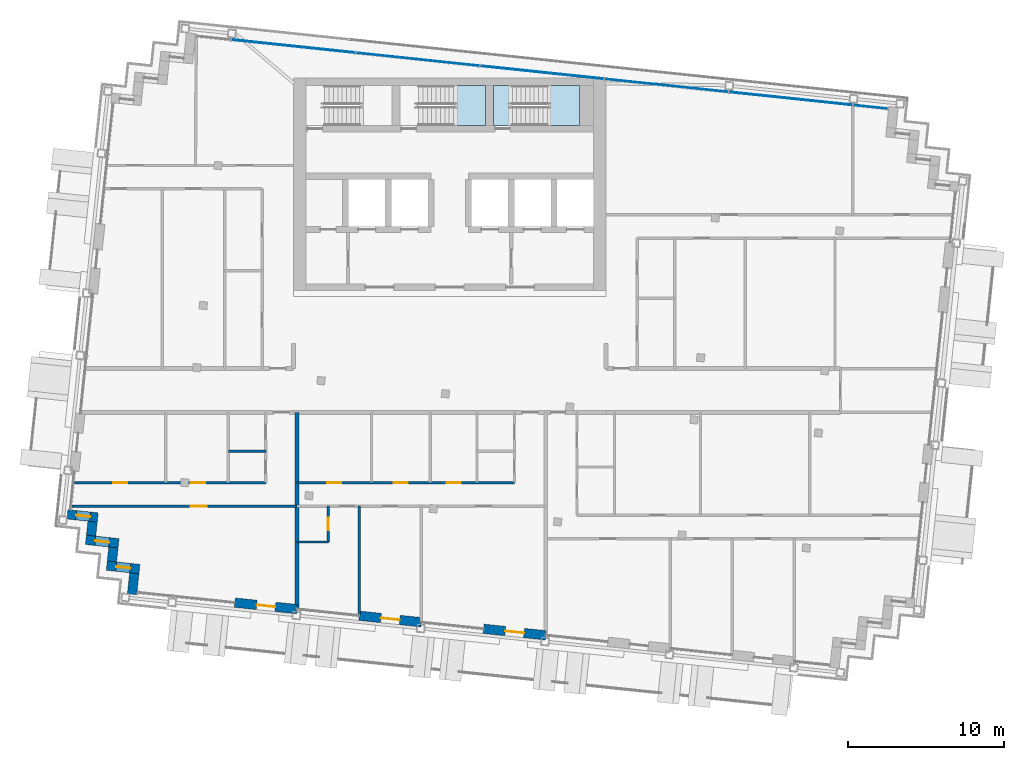
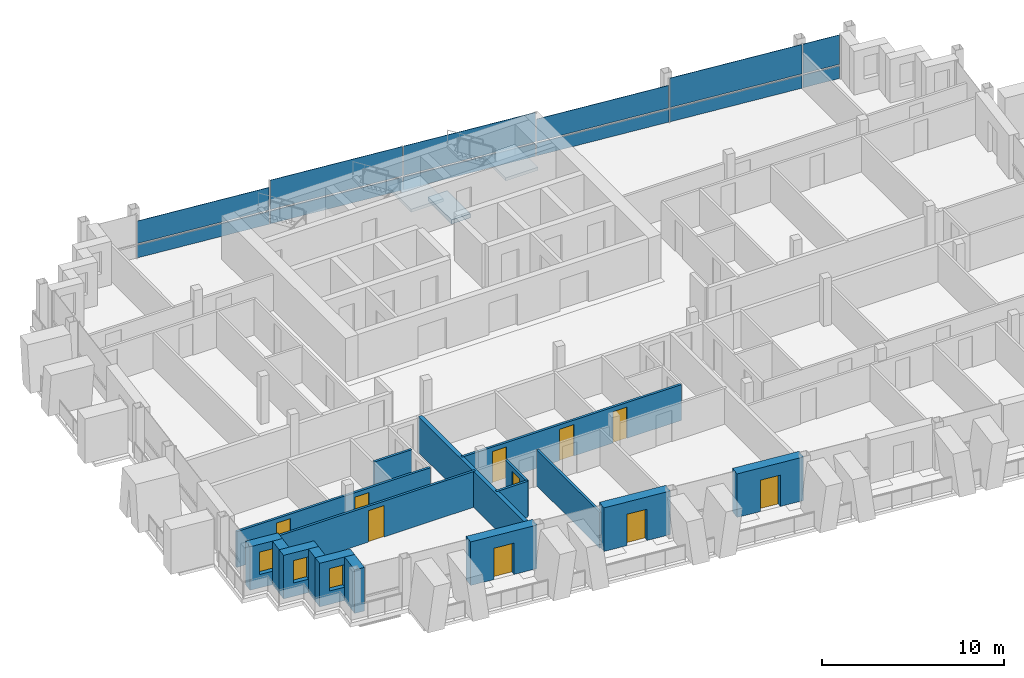
# One storey, part 8 of 16: 17 walls, 12 plates, 10 doors, 3 slabs, 3 windows, 13 openings, 3 elements without a shape of their own.
"""IFC4 building model written with IfcOpenShell, lengths in metres."""

from ifc_helpers import new_model, si_unit, direction, frame, frame_2d, origin, origin_2d, place, context, subcontext, project, spatial, polyline, rectangle, outline, extrude, material, layer, layer_set, type_object, element, fill, aggregate, save


model = new_model("IFC4")

# Units and contexts
model_context = context("Model", 3, precision=1e-05, world=origin(), true_north=direction((0.0, 1.0)))
body_context = subcontext(model_context, "Body", "Model", "MODEL_VIEW")
ifc_project = project(units=[si_unit("LENGTHUNIT", "METRE"), si_unit("AREAUNIT", "SQUARE_METRE"), si_unit("VOLUMEUNIT", "CUBIC_METRE"), si_unit("PLANEANGLEUNIT", "RADIAN"), si_unit("MASSUNIT", "GRAM", prefix="KILO")], contexts=[model_context])

# Site, building, storey
site_placement = place(None, origin())
site = spatial("IfcSite", under=ifc_project, at=site_placement, CompositionType="ELEMENT")
building_placement = place(site_placement, origin())
building = spatial("IfcBuilding", under=site, at=building_placement, Name="Vidyagriha Tower", CompositionType="ELEMENT")
storey_placement = place(building_placement, frame((0.0, 0.0, 275.5)))
storey = spatial("IfcBuildingStorey", under=building, at=storey_placement, Name="L72", CompositionType="ELEMENT", Elevation=275.5)

# Curtain wall, plates
ifc_material_1 = material(Name="Aluminium and glass curtain wall", Category="aluminium")
curtain_wall_type = type_object("IfcCurtainWallType", Name="Dwelling skin unitised curtain wall", PredefinedType="USERDEFINED", material=ifc_material_1)
curtain_wall_placement = place(storey_placement, origin())
curtain_wall = element("IfcCurtainWall", 1, at=curtain_wall_placement, inside=storey, type_object=curtain_wall_type, Name="CW1 dwelling skin", ObjectType="UNITISED", PredefinedType="USERDEFINED")
ifc_material_2 = material(Name="Glass dark ceramic-fritted spandrel", Category="glass")
ifc_layer_1 = layer(ifc_material_2, 0.0400390625)
ifc_layer_set_1 = layer_set([ifc_layer_1], Name="Glass dark ceramic-fritted spandrel")
plate_type_1 = type_object("IfcPlateType", Name="Ceramic-fritted spandrel panel", PredefinedType="CURTAIN_PANEL", material=ifc_layer_set_1)
plate_1_placement = place(storey_placement, frame((26.922607421875, 18.14599609375, 0.0), z_axis=(0.0, 0.0, 1.0), x_axis=(-0.994521854435, 0.104528852722, 0.0)))
plate_1 = element("IfcPlate", 2, at=plate_1_placement, type_object=plate_type_1, Name="CW1 panel 1.1", PredefinedType="CURTAIN_PANEL", context=body_context, shape_type="SweptSolid", body=[
    extrude(rectangle(XDim=2.195068359375, YDim=0.0400390625, at=origin_2d()), origin(), (0.0, 0.0, 1.0), 0.85009765625),
])
plate_2_placement = place(storey_placement, frame((13.862060546875, 19.518798828125, 0.0), z_axis=(0.0, 0.0, 1.0), x_axis=(-0.994521854435, 0.104528852722, 0.0)))
plate_2 = element("IfcPlate", 3, at=plate_2_placement, type_object=plate_type_1, Name="CW1 panel 3.1", PredefinedType="CURTAIN_PANEL", context=body_context, shape_type="SweptSolid", body=[
    extrude(rectangle(XDim=7.929931640625, YDim=0.0400390625, at=origin_2d()), origin(), (0.0, 0.0, 1.0), 0.85009765625),
])
plate_3_placement = place(storey_placement, frame((-2.05029296875, 21.191162109375, 0.0), z_axis=(0.0, 0.0, 1.0), x_axis=(-0.994521854435, 0.104528852722, 0.0)))
plate_3 = element("IfcPlate", 4, at=plate_3_placement, type_object=plate_type_1, Name="CW1 panel 5.1", PredefinedType="CURTAIN_PANEL", context=body_context, shape_type="SweptSolid", body=[
    extrude(rectangle(XDim=7.929931640625, YDim=0.0400390625, at=origin_2d()), origin(), (0.0, 0.0, 1.0), 0.85009765625),
])
ifc_material_3 = material(Name="Glass dark ceramic-fritted", Category="glass")
ifc_layer_2 = layer(ifc_material_3, 0.028076171875)
ifc_layer_set_2 = layer_set([ifc_layer_2], Name="Glass dark ceramic-fritted")
plate_type_2 = type_object("IfcPlateType", Name="Dark ceramic-fritted vision glass panel", PredefinedType="CURTAIN_PANEL", material=ifc_layer_set_2)
plate_4_placement = place(storey_placement, frame((26.922607421875, 18.14599609375, 0.9501953125), z_axis=(0.0, 0.0, 1.0), x_axis=(-0.994521854435, 0.104528852722, 0.0)))
plate_4 = element("IfcPlate", 5, at=plate_4_placement, type_object=plate_type_2, Name="CW1 panel 1.2", PredefinedType="CURTAIN_PANEL", context=body_context, shape_type="SweptSolid", body=[
    extrude(rectangle(XDim=2.195068359375, YDim=0.028076171875, at=origin_2d()), origin(), (0.0, 0.0, 1.0), 1.969970703125),
])
plate_5_placement = place(storey_placement, frame((21.818359375, 18.6826171875, 0.9501953125), z_axis=(0.0, 0.0, 1.0), x_axis=(-0.994521854435, 0.104528852722, 0.0)))
plate_5 = element("IfcPlate", 6, at=plate_5_placement, type_object=plate_type_2, Name="CW1 panel 2.2", PredefinedType="CURTAIN_PANEL", context=body_context, shape_type="SweptSolid", body=[
    extrude(rectangle(XDim=7.929931640625, YDim=0.028076171875, at=origin_2d()), origin(), (0.0, 0.0, 1.0), 1.969970703125),
])
plate_6_placement = place(storey_placement, frame((13.862060546875, 19.518798828125, 0.949951171875), z_axis=(0.0, 0.0, 1.0), x_axis=(-0.994521854435, 0.104528852722, 0.0)))
plate_6 = element("IfcPlate", 7, at=plate_6_placement, type_object=plate_type_2, Name="CW1 panel 3.2", PredefinedType="CURTAIN_PANEL", context=body_context, shape_type="SweptSolid", body=[
    extrude(rectangle(XDim=7.929931640625, YDim=0.028076171875, at=origin_2d()), origin(), (0.0, 0.0, 1.0), 1.5078125),
])
plate_7_placement = place(storey_placement, frame((5.906005859375, 20.35498046875, 0.9501953125), z_axis=(0.0, 0.0, 1.0), x_axis=(-0.994521854435, 0.104528852722, 0.0)))
plate_7 = element("IfcPlate", 8, at=plate_7_placement, type_object=plate_type_2, Name="CW1 panel 4.2", PredefinedType="CURTAIN_PANEL", context=body_context, shape_type="SweptSolid", body=[
    extrude(rectangle(XDim=7.929931640625, YDim=0.028076171875, at=origin_2d()), origin(), (0.0, 0.0, 1.0), 1.969970703125),
])
plate_8_placement = place(storey_placement, frame((-2.05029296875, 21.191162109375, 0.9501953125), z_axis=(0.0, 0.0, 1.0), x_axis=(-0.994521854435, 0.104528852722, 0.0)))
plate_8 = element("IfcPlate", 9, at=plate_8_placement, type_object=plate_type_2, Name="CW1 panel 5.2", PredefinedType="CURTAIN_PANEL", context=body_context, shape_type="SweptSolid", body=[
    extrude(rectangle(XDim=7.929931640625, YDim=0.028076171875, at=origin_2d()), origin(), (0.0, 0.0, 1.0), 1.969970703125),
])
plate_9_placement = place(storey_placement, frame((-10.00634765625, 22.027587890625, 0.949951171875), z_axis=(0.0, 0.0, 1.0), x_axis=(-0.994521854435, 0.104528852722, 0.0)))
plate_9 = element("IfcPlate", 10, at=plate_9_placement, type_object=plate_type_2, Name="CW1 panel 6.2", PredefinedType="CURTAIN_PANEL", context=body_context, shape_type="SweptSolid", body=[
    extrude(rectangle(XDim=7.929931640625, YDim=0.028076171875, at=origin_2d()), origin(), (0.0, 0.0, 1.0), 1.5078125),
])

# Slab
ifc_material_4 = material(Name="Concrete C40/50", Category="concrete")
ifc_layer_3 = layer(ifc_material_4, 0.280029296875)
ifc_layer_set_3 = layer_set([ifc_layer_3], Name="Concrete C40/50")
slab_type_1 = type_object("IfcSlabType", Name="Exit stair floor landing 280 mm", PredefinedType="LANDING", material=ifc_layer_set_3)
slab_1_placement = place(storey_placement, frame((0.0, 0.0, -0.280029296875)))
element("IfcSlab", 11, at=slab_1_placement, inside=storey, type_object=slab_type_1, Name="ST3 floor landing L72", PredefinedType="LANDING", context=body_context, shape_type="SweptSolid", body=[
    extrude(outline(polyline([(2.800048828125, 16.949951171875), (4.0, 16.949951171875), (4.0, 19.5), (2.800048828125, 19.5), (2.800048828125, 16.949951171875)])), origin(), (0.0, 0.0, 1.0), 0.280029296875),
])

# Stair, slab
ifc_material_5 = material(Name="Concrete C40/50", Category="concrete")
stair_type = type_object("IfcStairType", Name="Exit stair, half-turn, precast flights", PredefinedType="HALF_TURN_STAIR", material=ifc_material_5)
stair_1_placement = place(storey_placement, origin())
stair_1 = element("IfcStair", 12, at=stair_1_placement, inside=storey, type_object=stair_type, Name="L72 Exit Stair ST2", PredefinedType="HALF_TURN_STAIR")
ifc_material_6 = material(Name="Concrete C40/50", Category="concrete")
ifc_layer_4 = layer(ifc_material_6, 0.199951171875)
ifc_layer_set_4 = layer_set([ifc_layer_4], Name="Concrete C40/50")
slab_type_2 = type_object("IfcSlabType", Name="Exit stair landing 200 mm", PredefinedType="LANDING", material=ifc_layer_set_4)
slab_2_placement = place(storey_placement, frame((0.0, 0.0, 1.39990234375)))
slab_2 = element("IfcSlab", 13, at=slab_2_placement, type_object=slab_type_2, Name="ST2 landing 1", PredefinedType="LANDING", context=body_context, shape_type="SweptSolid", body=[
    extrude(outline(polyline([(0.239990234375, 16.949951171875), (2.300048828125, 16.949951171875), (2.300048828125, 19.5), (0.239990234375, 19.5), (0.239990234375, 16.949951171875)])), origin(), (0.0, 0.0, 1.0), 0.2001953125),
])
aggregate(stair_1, [slab_2])

stair_2_placement = place(storey_placement, origin())
stair_2 = element("IfcStair", 14, at=stair_2_placement, inside=storey, type_object=stair_type, Name="L72 Exit Stair ST3", PredefinedType="HALF_TURN_STAIR")
slab_3_placement = place(storey_placement, frame((0.0, 0.0, 1.39990234375)))
slab_3 = element("IfcSlab", 15, at=slab_3_placement, type_object=slab_type_2, Name="ST3 landing 1", PredefinedType="LANDING", context=body_context, shape_type="SweptSolid", body=[
    extrude(outline(polyline([(6.239990234375, 16.949951171875), (8.300048828125, 16.949951171875), (8.300048828125, 19.5), (6.239990234375, 19.5), (6.239990234375, 16.949951171875)])), origin(), (0.0, 0.0, 1.0), 0.2001953125),
])
aggregate(stair_2, [slab_3])

# Plate
ifc_material_7 = material(Name="Aluminium black anodised", Category="aluminium")
ifc_layer_5 = layer(ifc_material_7, 0.06005859375)
ifc_layer_set_5 = layer_set([ifc_layer_5], Name="Aluminium black anodised")
plate_type_3 = type_object("IfcPlateType", Name="Operable black-metal vent panel", PredefinedType="CURTAIN_PANEL", material=ifc_layer_set_5)
plate_10_placement = place(storey_placement, frame((21.818359375, 18.6826171875, 0.0), z_axis=(0.0, 0.0, 1.0), x_axis=(-0.994521854435, 0.104528852722, 0.0)))
plate_10 = element("IfcPlate", 16, at=plate_10_placement, type_object=plate_type_3, Name="CW1 panel 2.1", PredefinedType="CURTAIN_PANEL", context=body_context, shape_type="SweptSolid", body=[
    extrude(rectangle(XDim=7.929931640625, YDim=0.06005859375, at=origin_2d()), origin(), (0.0, 0.0, 1.0), 0.85009765625),
])

plate_11_placement = place(storey_placement, frame((5.906005859375, 20.35498046875, 0.0), z_axis=(0.0, 0.0, 1.0), x_axis=(-0.994521854435, 0.104528852722, 0.0)))
plate_11 = element("IfcPlate", 17, at=plate_11_placement, type_object=plate_type_3, Name="CW1 panel 4.1", PredefinedType="CURTAIN_PANEL", context=body_context, shape_type="SweptSolid", body=[
    extrude(rectangle(XDim=7.929931640625, YDim=0.06005859375, at=origin_2d()), origin(), (0.0, 0.0, 1.0), 0.85009765625),
])

plate_12_placement = place(storey_placement, frame((-10.00634765625, 22.027587890625, 0.0), z_axis=(0.0, 0.0, 1.0), x_axis=(-0.994521854435, 0.104528852722, 0.0)))
plate_12 = element("IfcPlate", 18, at=plate_12_placement, type_object=plate_type_3, Name="CW1 panel 6.1", PredefinedType="CURTAIN_PANEL", context=body_context, shape_type="SweptSolid", body=[
    extrude(rectangle(XDim=7.929931640625, YDim=0.06005859375, at=origin_2d()), origin(), (0.0, 0.0, 1.0), 0.85009765625),
])

aggregate(curtain_wall, [plate_1, plate_4, plate_10, plate_5, plate_2, plate_6, plate_11, plate_7, plate_3, plate_8, plate_12, plate_9])

# Wall, opening, window
ifc_material_8 = material(Name="Precast concrete C40/50 with brick facing", Category="concrete")
ifc_layer_6 = layer(ifc_material_8, 0.60009765625)
ifc_layer_set_6 = layer_set([ifc_layer_6], Name="Precast concrete C40/50 with brick facing")
wall_type_1 = type_object("IfcWallType", Name="Brick-faced precast wall 600", PredefinedType="STANDARD", material=ifc_layer_set_6)
wall_1_placement = place(storey_placement, frame((-24.466552734375, -7.92529296875, 0.0), z_axis=(0.0, 0.0, 1.0), x_axis=(0.994521219184, -0.104534896528, 0.0)))
wall_1 = element("IfcWall", 19, at=wall_1_placement, inside=storey, type_object=wall_type_1, Name="Stepped corner wall L72 R15", PredefinedType="STANDARD", context=body_context, shape_type="SweptSolid", body=[
    extrude(rectangle(XDim=1.9501953125, YDim=0.60009765625, at=frame_2d((0.97509765625, 0.0))), origin(), (0.0, 0.0, 1.0), 2.919921875),
])
opening_1_placement = place(wall_1_placement, frame((0.56005859375, 0.0, 0.89990234375)))
opening_1 = element("IfcOpeningElement", 20, at=opening_1_placement, cuts=wall_1, Name="Opening WN1", PredefinedType="OPENING", context=body_context, shape_type="SweptSolid", body=[
    extrude(rectangle(XDim=0.89990234375, YDim=1.5, at=frame_2d((0.449951171875, 0.75))), frame((0.0, 0.31005859375, 0.0), z_axis=(0.0, -1.0, 0.0), x_axis=(1.0, 0.0, 0.0)), (0.0, 0.0, 1.0), 0.6201171875),
])
ifc_material_9 = material(Name="Aluminium and glass window", Category="aluminium")
window_type = type_object("IfcWindowType", Name="Reveal window 900x1500", PartitioningType="NOTDEFINED", PredefinedType="WINDOW", material=ifc_material_9)
window_1_placement = place(opening_1_placement, origin())
window_1 = element("IfcWindow", 21, at=window_1_placement, inside=storey, type_object=window_type, Name="Reveal window L72 R15", OverallHeight=1.5, OverallWidth=0.89990234375, PartitioningType="SINGLE_PANEL", PredefinedType="WINDOW", context=body_context, shape_type="SweptSolid", body=[
    extrude(rectangle(XDim=0.89990234375, YDim=1.5, at=frame_2d((0.449951171875, 0.75))), frame((0.0, 0.030029296875, 0.0), z_axis=(0.0, -1.0, 0.0), x_axis=(1.0, 0.0, 0.0)), (0.0, 0.0, 1.0), 0.06005859375),
])
fill(opening_1, window_1)

# Wall
wall_2_placement = place(storey_placement, frame((-22.85693359375, -8.39599609375, 0.0), z_axis=(0.0, 0.0, 1.0), x_axis=(-0.104444712852, -0.994530694326, 0.0)))
element("IfcWall", 22, at=wall_2_placement, inside=storey, type_object=wall_type_1, Name="Stepped corner wall L72 R16", PredefinedType="STANDARD", context=body_context, shape_type="SweptSolid", body=[
    extrude(rectangle(XDim=0.89990234375, YDim=0.60009765625, at=frame_2d((0.449951171875, 0.0))), origin(), (0.0, 0.0, 1.0), 2.919921875),
])

# Wall, opening, window
wall_3_placement = place(storey_placement, frame((-23.28076171875, -9.55810546875, 0.0), z_axis=(0.0, 0.0, 1.0), x_axis=(0.994523910136, -0.104509292252, 0.0)))
wall_3 = element("IfcWall", 23, at=wall_3_placement, inside=storey, type_object=wall_type_1, Name="Stepped corner wall L72 R17", PredefinedType="STANDARD", context=body_context, shape_type="SweptSolid", body=[
    extrude(rectangle(XDim=2.10009765625, YDim=0.60009765625, at=frame_2d((1.050048828125, 0.0))), origin(), (0.0, 0.0, 1.0), 2.919921875),
])
opening_2_placement = place(wall_3_placement, frame((0.60009765625, 0.0, 0.89990234375)))
opening_2 = element("IfcOpeningElement", 24, at=opening_2_placement, cuts=wall_3, Name="Opening WN1", PredefinedType="OPENING", context=body_context, shape_type="SweptSolid", body=[
    extrude(rectangle(XDim=0.89990234375, YDim=1.5, at=frame_2d((0.449951171875, 0.75))), frame((0.0, 0.31005859375, 0.0), z_axis=(0.0, -1.0, 0.0), x_axis=(1.0, 0.0, 0.0)), (0.0, 0.0, 1.0), 0.6201171875),
])
window_2_placement = place(opening_2_placement, origin())
window_2 = element("IfcWindow", 25, at=window_2_placement, inside=storey, type_object=window_type, Name="Reveal window L72 R17", OverallHeight=1.5, OverallWidth=0.89990234375, PartitioningType="SINGLE_PANEL", PredefinedType="WINDOW", context=body_context, shape_type="SweptSolid", body=[
    extrude(rectangle(XDim=0.89990234375, YDim=1.5, at=frame_2d((0.449951171875, 0.75))), frame((0.0, 0.030029296875, 0.0), z_axis=(0.0, -1.0, 0.0), x_axis=(1.0, 0.0, 0.0)), (0.0, 0.0, 1.0), 0.06005859375),
])
fill(opening_2, window_2)

# Wall
wall_4_placement = place(storey_placement, frame((-21.52197265625, -10.04443359375, 0.0), z_axis=(0.0, 0.0, 1.0), x_axis=(-0.104416541099, -0.994533652495, 0.0)))
element("IfcWall", 26, at=wall_4_placement, inside=storey, type_object=wall_type_1, Name="Stepped corner wall L72 R18", PredefinedType="STANDARD", context=body_context, shape_type="SweptSolid", body=[
    extrude(rectangle(XDim=0.900146484375, YDim=0.60009765625, at=frame_2d((0.4501953125, 0.0))), origin(), (0.0, 0.0, 1.0), 2.919921875),
])

# Wall, opening, window
wall_5_placement = place(storey_placement, frame((-21.94580078125, -11.20654296875, 0.0), z_axis=(0.0, 0.0, 1.0), x_axis=(0.994511820899, -0.104624271047, 0.0)))
wall_5 = element("IfcWall", 27, at=wall_5_placement, inside=storey, type_object=wall_type_1, Name="Stepped corner wall L72 R19", PredefinedType="STANDARD", context=body_context, shape_type="SweptSolid", body=[
    extrude(rectangle(XDim=2.10009765625, YDim=0.60009765625, at=frame_2d((1.050048828125, 0.0))), origin(), (0.0, 0.0, 1.0), 2.919921875),
])
opening_3_placement = place(wall_5_placement, frame((0.60009765625, 0.0, 0.89990234375)))
opening_3 = element("IfcOpeningElement", 28, at=opening_3_placement, cuts=wall_5, Name="Opening WN1", PredefinedType="OPENING", context=body_context, shape_type="SweptSolid", body=[
    extrude(rectangle(XDim=0.89990234375, YDim=1.5, at=frame_2d((0.449951171875, 0.75))), frame((0.0, 0.31005859375, 0.0), z_axis=(0.0, -1.0, 0.0), x_axis=(1.0, 0.0, 0.0)), (0.0, 0.0, 1.0), 0.6201171875),
])
window_3_placement = place(opening_3_placement, origin())
window_3 = element("IfcWindow", 29, at=window_3_placement, inside=storey, type_object=window_type, Name="Reveal window L72 R19", OverallHeight=1.5, OverallWidth=0.89990234375, PartitioningType="SINGLE_PANEL", PredefinedType="WINDOW", context=body_context, shape_type="SweptSolid", body=[
    extrude(rectangle(XDim=0.89990234375, YDim=1.5, at=frame_2d((0.449951171875, 0.75))), frame((0.0, 0.030029296875, 0.0), z_axis=(0.0, -1.0, 0.0), x_axis=(1.0, 0.0, 0.0)), (0.0, 0.0, 1.0), 0.06005859375),
])
fill(opening_3, window_3)

# Wall
wall_6_placement = place(storey_placement, frame((-20.18701171875, -11.693115234375, 0.0), z_axis=(0.0, 0.0, 1.0), x_axis=(-0.1043365026, -0.994542052517, 0.0)))
element("IfcWall", 30, at=wall_6_placement, inside=storey, type_object=wall_type_1, Name="Stepped corner wall L72 R20", PredefinedType="STANDARD", context=body_context, shape_type="SweptSolid", body=[
    extrude(rectangle(XDim=1.35009765625, YDim=0.60009765625, at=frame_2d((0.675048828125, 0.0))), origin(), (0.0, 0.0, 1.0), 2.919921875),
])

# Wall, opening, door
wall_7_placement = place(storey_placement, frame((-13.74853515625, -13.576416015625, 0.0), z_axis=(0.0, 0.0, 1.0), x_axis=(0.994519156568, -0.104554517933, 0.0)))
wall_7 = element("IfcWall", 31, at=wall_7_placement, inside=storey, type_object=wall_type_1, Name="Brick door bay wall L72 R21.3", PredefinedType="STANDARD", context=body_context, shape_type="SweptSolid", body=[
    extrude(rectangle(XDim=4.0, YDim=0.60009765625, at=frame_2d((2.0, 0.0))), origin(), (0.0, 0.0, 1.0), 2.919921875),
])
opening_4_placement = place(wall_7_placement, frame((1.39990234375, 0.0, 0.0)))
opening_4 = element("IfcOpeningElement", 32, at=opening_4_placement, cuts=wall_7, Name="Opening D72-54", PredefinedType="OPENING", context=body_context, shape_type="SweptSolid", body=[
    extrude(rectangle(XDim=1.199951171875, YDim=2.10009765625, at=frame_2d((0.60009765625, 1.050048828125))), frame((0.0, 0.31005859375, 0.0), z_axis=(0.0, -1.0, 0.0), x_axis=(1.0, 0.0, 0.0)), (0.0, 0.0, 1.0), 0.6201171875),
])
ifc_material_10 = material(Name="Aluminium framed glazed sliding door", Category="aluminium")
door_type_1 = type_object("IfcDoorType", Name="Balcony sliding door 1200x2100", OperationType="NOTDEFINED", PredefinedType="DOOR", material=ifc_material_10)
door_1_placement = place(opening_4_placement, origin())
door_1 = element("IfcDoor", 33, at=door_1_placement, inside=storey, type_object=door_type_1, Name="Door D72-54", OperationType="SLIDING_TO_LEFT", OverallHeight=2.10009765625, OverallWidth=1.199951171875, PredefinedType="DOOR", context=body_context, shape_type="SweptSolid", body=[
    extrude(rectangle(XDim=1.199951171875, YDim=2.10009765625, at=frame_2d((0.60009765625, 1.050048828125))), frame((0.0, 0.02490234375, 0.0), z_axis=(0.0, -1.0, 0.0), x_axis=(1.0, 0.0, 0.0)), (0.0, 0.0, 1.0), 0.050048828125),
])
fill(opening_4, door_1)

wall_8_placement = place(storey_placement, frame((-5.792236328125, -14.412841796875, 0.0), z_axis=(0.0, 0.0, 1.0), x_axis=(0.99452550138, -0.104494148666, 0.0)))
wall_8 = element("IfcWall", 34, at=wall_8_placement, inside=storey, type_object=wall_type_1, Name="Brick door bay wall L72 R21.5", PredefinedType="STANDARD", context=body_context, shape_type="SweptSolid", body=[
    extrude(rectangle(XDim=4.0, YDim=0.60009765625, at=frame_2d((2.0, 0.0))), origin(), (0.0, 0.0, 1.0), 2.919921875),
])
opening_5_placement = place(wall_8_placement, frame((1.39990234375, 0.0, 0.0)))
opening_5 = element("IfcOpeningElement", 35, at=opening_5_placement, cuts=wall_8, Name="Opening D72-55", PredefinedType="OPENING", context=body_context, shape_type="SweptSolid", body=[
    extrude(rectangle(XDim=1.199951171875, YDim=2.10009765625, at=frame_2d((0.60009765625, 1.050048828125))), frame((0.0, 0.31005859375, 0.0), z_axis=(0.0, -1.0, 0.0), x_axis=(1.0, 0.0, 0.0)), (0.0, 0.0, 1.0), 0.6201171875),
])
door_2_placement = place(opening_5_placement, origin())
door_2 = element("IfcDoor", 36, at=door_2_placement, inside=storey, type_object=door_type_1, Name="Door D72-55", OperationType="SLIDING_TO_LEFT", OverallHeight=2.10009765625, OverallWidth=1.199951171875, PredefinedType="DOOR", context=body_context, shape_type="SweptSolid", body=[
    extrude(rectangle(XDim=1.199951171875, YDim=2.10009765625, at=frame_2d((0.60009765625, 1.050048828125))), frame((0.0, 0.02490234375, 0.0), z_axis=(0.0, -1.0, 0.0), x_axis=(1.0, 0.0, 0.0)), (0.0, 0.0, 1.0), 0.050048828125),
])
fill(opening_5, door_2)

wall_9_placement = place(storey_placement, frame((2.163818359375, -15.2490234375, 0.0), z_axis=(0.0, 0.0, 1.0), x_axis=(0.99452550138, -0.104494148666, 0.0)))
wall_9 = element("IfcWall", 37, at=wall_9_placement, inside=storey, type_object=wall_type_1, Name="Brick door bay wall L72 R21.7", PredefinedType="STANDARD", context=body_context, shape_type="SweptSolid", body=[
    extrude(rectangle(XDim=4.0, YDim=0.60009765625, at=frame_2d((2.0, 0.0))), origin(), (0.0, 0.0, 1.0), 2.919921875),
])
opening_6_placement = place(wall_9_placement, frame((1.39990234375, 0.0, 0.0)))
opening_6 = element("IfcOpeningElement", 38, at=opening_6_placement, cuts=wall_9, Name="Opening D72-56", PredefinedType="OPENING", context=body_context, shape_type="SweptSolid", body=[
    extrude(rectangle(XDim=1.199951171875, YDim=2.10009765625, at=frame_2d((0.60009765625, 1.050048828125))), frame((0.0, 0.31005859375, 0.0), z_axis=(0.0, -1.0, 0.0), x_axis=(1.0, 0.0, 0.0)), (0.0, 0.0, 1.0), 0.6201171875),
])
door_3_placement = place(opening_6_placement, origin())
door_3 = element("IfcDoor", 39, at=door_3_placement, inside=storey, type_object=door_type_1, Name="Door D72-56", OperationType="SLIDING_TO_LEFT", OverallHeight=2.10009765625, OverallWidth=1.199951171875, PredefinedType="DOOR", context=body_context, shape_type="SweptSolid", body=[
    extrude(rectangle(XDim=1.199951171875, YDim=2.10009765625, at=frame_2d((0.60009765625, 1.050048828125))), frame((0.0, 0.02490234375, 0.0), z_axis=(0.0, -1.0, 0.0), x_axis=(1.0, 0.0, 0.0)), (0.0, 0.0, 1.0), 0.050048828125),
])
fill(opening_6, door_3)

# Walls
ifc_material_11 = material(Name="Fired clay brick masonry", Category="masonry")
ifc_layer_7 = layer(ifc_material_11, 0.25)
ifc_layer_set_7 = layer_set([ifc_layer_7], Name="Fired clay brick masonry")
wall_type_2 = type_object("IfcWallType", Name="Fired clay brick demising wall 250", PredefinedType="PARTITIONING", material=ifc_layer_set_7)
wall_10_placement = place(storey_placement, frame((-9.77001953125, -1.39990234375, 0.0), z_axis=(0.0, 0.0, 1.0), x_axis=(0.0, -1.0, 0.0)))
element("IfcWall", 40, at=wall_10_placement, inside=storey, type_object=wall_type_2, Name="Wall all-L72-w034", PredefinedType="PARTITIONING", context=body_context, shape_type="SweptSolid", body=[
    extrude(rectangle(XDim=12.50439453125, YDim=0.25, at=frame_2d((6.252197265625, 0.0))), origin(), (0.0, 0.0, 1.0), 2.39990234375),
])
ifc_material_12 = material(Name="Gypsum board partition")
ifc_layer_8 = layer(ifc_material_12, 0.14990234375)
ifc_layer_set_8 = layer_set([ifc_layer_8], Name="Gypsum board partition")
wall_type_3 = type_object("IfcWallType", Name="Gypsum board partition 150", PredefinedType="PARTITIONING", material=ifc_layer_set_8)
wall_11_placement = place(storey_placement, frame((-11.77001953125, -3.89990234375, 0.0), z_axis=(0.0, 0.0, 1.0), x_axis=(-1.0, 0.0, 0.0)))
element("IfcWall", 41, at=wall_11_placement, inside=storey, type_object=wall_type_3, Name="Wall all-L72-w004", PredefinedType="PARTITIONING", context=body_context, shape_type="SweptSolid", body=[
    extrude(rectangle(XDim=2.39990234375, YDim=0.14990234375, at=frame_2d((1.199951171875, 0.0))), origin(), (0.0, 0.0, 1.0), 2.39990234375),
])

# Wall, openings, doors
wall_12_placement = place(storey_placement, frame((-24.0234375, -5.89990234375, 0.0)))
wall_12 = element("IfcWall", 42, at=wall_12_placement, inside=storey, type_object=wall_type_3, Name="Wall all-L72-w007", PredefinedType="PARTITIONING", context=body_context, shape_type="SweptSolid", body=[
    extrude(rectangle(XDim=12.25341796875, YDim=0.14990234375, at=frame_2d((6.126708984375, 0.0))), origin(), (0.0, 0.0, 1.0), 2.39990234375),
])
opening_7_placement = place(wall_12_placement, frame((7.46484375, 0.0, 0.0)))
opening_7 = element("IfcOpeningElement", 43, at=opening_7_placement, cuts=wall_12, Name="Opening D72-12", PredefinedType="OPENING", context=body_context, shape_type="SweptSolid", body=[
    extrude(rectangle(XDim=0.89990234375, YDim=2.10009765625, at=frame_2d((0.449951171875, 1.050048828125))), frame((0.0, 0.0849609375, 0.0), z_axis=(0.0, -1.0, 0.0), x_axis=(1.0, 0.0, 0.0)), (0.0, 0.0, 1.0), 0.169921875),
])
opening_8_placement = place(wall_12_placement, frame((2.494384765625, 0.0, 0.0)))
opening_8 = element("IfcOpeningElement", 44, at=opening_8_placement, cuts=wall_12, Name="Opening D72-13", PredefinedType="OPENING", context=body_context, shape_type="SweptSolid", body=[
    extrude(rectangle(XDim=0.89990234375, YDim=2.10009765625, at=frame_2d((0.449951171875, 1.050048828125))), frame((0.0, 0.0849609375, 0.0), z_axis=(0.0, -1.0, 0.0), x_axis=(1.0, 0.0, 0.0)), (0.0, 0.0, 1.0), 0.169921875),
])
ifc_material_13 = material(Name="Timber door leaf", Category="wood")
door_type_2 = type_object("IfcDoorType", Name="Room door 900x2100", OperationType="NOTDEFINED", PredefinedType="DOOR", material=ifc_material_13)
door_4_placement = place(opening_7_placement, origin())
door_4 = element("IfcDoor", 45, at=door_4_placement, inside=storey, type_object=door_type_2, Name="Door D72-12", OperationType="SINGLE_SWING_RIGHT", OverallHeight=2.10009765625, OverallWidth=0.89990234375, PredefinedType="DOOR", context=body_context, shape_type="SweptSolid", body=[
    extrude(rectangle(XDim=0.89990234375, YDim=2.10009765625, at=frame_2d((0.449951171875, 1.050048828125))), frame((0.0, 0.02490234375, 0.0), z_axis=(0.0, -1.0, 0.0), x_axis=(1.0, 0.0, 0.0)), (0.0, 0.0, 1.0), 0.050048828125),
])
fill(opening_7, door_4)
door_5_placement = place(opening_8_placement, origin())
door_5 = element("IfcDoor", 46, at=door_5_placement, inside=storey, type_object=door_type_2, Name="Door D72-13", OperationType="SINGLE_SWING_LEFT", OverallHeight=2.10009765625, OverallWidth=0.89990234375, PredefinedType="DOOR", context=body_context, shape_type="SweptSolid", body=[
    extrude(rectangle(XDim=0.89990234375, YDim=2.10009765625, at=frame_2d((0.449951171875, 1.050048828125))), frame((0.0, 0.02490234375, 0.0), z_axis=(0.0, -1.0, 0.0), x_axis=(1.0, 0.0, 0.0)), (0.0, 0.0, 1.0), 0.050048828125),
])
fill(opening_8, door_5)

# Wall, opening, door
wall_13_placement = place(storey_placement, frame((-9.77001953125, -7.39990234375, 0.0), z_axis=(0.0, 0.0, 1.0), x_axis=(-1.0, 0.0, 0.0)))
wall_13 = element("IfcWall", 47, at=wall_13_placement, inside=storey, type_object=wall_type_3, Name="Wall all-L72-w010", PredefinedType="PARTITIONING", context=body_context, shape_type="SweptSolid", body=[
    extrude(rectangle(XDim=14.4111328125, YDim=0.14990234375, at=frame_2d((7.20556640625, 0.0))), origin(), (0.0, 0.0, 1.0), 2.39990234375),
])
opening_9_placement = place(wall_13_placement, frame((5.78857421875, 0.0, 0.0)))
opening_9 = element("IfcOpeningElement", 48, at=opening_9_placement, cuts=wall_13, Name="Opening D72-14", PredefinedType="OPENING", context=body_context, shape_type="SweptSolid", body=[
    extrude(rectangle(XDim=1.0, YDim=2.10009765625, at=frame_2d((0.5, 1.050048828125))), frame((0.0, 0.0849609375, 0.0), z_axis=(0.0, -1.0, 0.0), x_axis=(1.0, 0.0, 0.0)), (0.0, 0.0, 1.0), 0.169921875),
])
ifc_material_14 = material(Name="Timber door leaf", Category="wood")
door_type_3 = type_object("IfcDoorType", Name="Room door 1000x2100", OperationType="NOTDEFINED", PredefinedType="DOOR", material=ifc_material_14)
door_6_placement = place(opening_9_placement, origin())
door_6 = element("IfcDoor", 49, at=door_6_placement, inside=storey, type_object=door_type_3, Name="Door D72-14", OperationType="SINGLE_SWING_LEFT", OverallHeight=2.10009765625, OverallWidth=1.0, PredefinedType="DOOR", context=body_context, shape_type="SweptSolid", body=[
    extrude(rectangle(XDim=1.0, YDim=2.10009765625, at=frame_2d((0.5, 1.050048828125))), frame((0.0, 0.02490234375, 0.0), z_axis=(0.0, -1.0, 0.0), x_axis=(1.0, 0.0, 0.0)), (0.0, 0.0, 1.0), 0.050048828125),
])
fill(opening_9, door_6)

# Wall, openings, doors
wall_14_placement = place(storey_placement, frame((-9.77001953125, -5.89990234375, 0.0)))
wall_14 = element("IfcWall", 50, at=wall_14_placement, inside=storey, type_object=wall_type_3, Name="Wall all-L72-w020", PredefinedType="PARTITIONING", context=body_context, shape_type="SweptSolid", body=[
    extrude(rectangle(XDim=13.912109375, YDim=0.14990234375, at=frame_2d((6.9560546875, 0.0))), origin(), (0.0, 0.0, 1.0), 2.39990234375),
])
opening_10_placement = place(wall_14_placement, frame((9.56201171875, 0.0, 0.0)))
opening_10 = element("IfcOpeningElement", 51, at=opening_10_placement, cuts=wall_14, Name="Opening D72-18", PredefinedType="OPENING", context=body_context, shape_type="SweptSolid", body=[
    extrude(rectangle(XDim=0.89990234375, YDim=2.10009765625, at=frame_2d((0.449951171875, 1.050048828125))), frame((0.0, 0.0849609375, 0.0), z_axis=(0.0, -1.0, 0.0), x_axis=(1.0, 0.0, 0.0)), (0.0, 0.0, 1.0), 0.169921875),
])
opening_11_placement = place(wall_14_placement, frame((6.18701171875, 0.0, 0.0)))
opening_11 = element("IfcOpeningElement", 52, at=opening_11_placement, cuts=wall_14, Name="Opening D72-19", PredefinedType="OPENING", context=body_context, shape_type="SweptSolid", body=[
    extrude(rectangle(XDim=0.89990234375, YDim=2.10009765625, at=frame_2d((0.449951171875, 1.050048828125))), frame((0.0, 0.0849609375, 0.0), z_axis=(0.0, -1.0, 0.0), x_axis=(1.0, 0.0, 0.0)), (0.0, 0.0, 1.0), 0.169921875),
])
opening_12_placement = place(wall_14_placement, frame((1.930908203125, 0.0, 0.0)))
opening_12 = element("IfcOpeningElement", 53, at=opening_12_placement, cuts=wall_14, Name="Opening D72-20", PredefinedType="OPENING", context=body_context, shape_type="SweptSolid", body=[
    extrude(rectangle(XDim=0.89990234375, YDim=2.10009765625, at=frame_2d((0.449951171875, 1.050048828125))), frame((0.0, 0.0849609375, 0.0), z_axis=(0.0, -1.0, 0.0), x_axis=(1.0, 0.0, 0.0)), (0.0, 0.0, 1.0), 0.169921875),
])
door_7_placement = place(opening_10_placement, origin())
door_7 = element("IfcDoor", 54, at=door_7_placement, inside=storey, type_object=door_type_2, Name="Door D72-18", OperationType="SINGLE_SWING_RIGHT", OverallHeight=2.10009765625, OverallWidth=0.89990234375, PredefinedType="DOOR", context=body_context, shape_type="SweptSolid", body=[
    extrude(rectangle(XDim=0.89990234375, YDim=2.10009765625, at=frame_2d((0.449951171875, 1.050048828125))), frame((0.0, 0.02490234375, 0.0), z_axis=(0.0, -1.0, 0.0), x_axis=(1.0, 0.0, 0.0)), (0.0, 0.0, 1.0), 0.050048828125),
])
fill(opening_10, door_7)
door_8_placement = place(opening_11_placement, origin())
door_8 = element("IfcDoor", 55, at=door_8_placement, inside=storey, type_object=door_type_2, Name="Door D72-19", OperationType="SINGLE_SWING_RIGHT", OverallHeight=2.10009765625, OverallWidth=0.89990234375, PredefinedType="DOOR", context=body_context, shape_type="SweptSolid", body=[
    extrude(rectangle(XDim=0.89990234375, YDim=2.10009765625, at=frame_2d((0.449951171875, 1.050048828125))), frame((0.0, 0.02490234375, 0.0), z_axis=(0.0, -1.0, 0.0), x_axis=(1.0, 0.0, 0.0)), (0.0, 0.0, 1.0), 0.050048828125),
])
fill(opening_11, door_8)
door_9_placement = place(opening_12_placement, origin())
door_9 = element("IfcDoor", 56, at=door_9_placement, inside=storey, type_object=door_type_2, Name="Door D72-20", OperationType="SINGLE_SWING_LEFT", OverallHeight=2.10009765625, OverallWidth=0.89990234375, PredefinedType="DOOR", context=body_context, shape_type="SweptSolid", body=[
    extrude(rectangle(XDim=0.89990234375, YDim=2.10009765625, at=frame_2d((0.449951171875, 1.050048828125))), frame((0.0, 0.02490234375, 0.0), z_axis=(0.0, -1.0, 0.0), x_axis=(1.0, 0.0, 0.0)), (0.0, 0.0, 1.0), 0.050048828125),
])
fill(opening_12, door_9)

# Wall
wall_15_placement = place(storey_placement, frame((-5.792236328125, -7.39990234375, 0.0), z_axis=(0.0, 0.0, 1.0), x_axis=(0.0, -1.0, 0.0)))
element("IfcWall", 57, at=wall_15_placement, inside=storey, type_object=wall_type_3, Name="Wall all-L72-w028", PredefinedType="PARTITIONING", context=body_context, shape_type="SweptSolid", body=[
    extrude(rectangle(XDim=6.933349609375, YDim=0.14990234375, at=frame_2d((3.466796875, 0.0))), origin(), (0.0, 0.0, 1.0), 2.39990234375),
])

# Wall, opening, door
wall_16_placement = place(storey_placement, frame((-7.77001953125, -7.39990234375, 0.0), z_axis=(0.0, 0.0, 1.0), x_axis=(0.0, -1.0, 0.0)))
wall_16 = element("IfcWall", 58, at=wall_16_placement, inside=storey, type_object=wall_type_3, Name="Wall all-L72-w030", PredefinedType="PARTITIONING", context=body_context, shape_type="SweptSolid", body=[
    extrude(rectangle(XDim=2.300048828125, YDim=0.14990234375, at=frame_2d((1.14990234375, 0.0))), origin(), (0.0, 0.0, 1.0), 2.39990234375),
])
opening_13_placement = place(wall_16_placement, frame((0.75, 0.0, 0.0)))
opening_13 = element("IfcOpeningElement", 59, at=opening_13_placement, cuts=wall_16, Name="Opening D72-24", PredefinedType="OPENING", context=body_context, shape_type="SweptSolid", body=[
    extrude(rectangle(XDim=0.800048828125, YDim=2.10009765625, at=frame_2d((0.39990234375, 1.050048828125))), frame((0.0, 0.0849609375, 0.0), z_axis=(0.0, -1.0, 0.0), x_axis=(1.0, 0.0, 0.0)), (0.0, 0.0, 1.0), 0.169921875),
])
ifc_material_15 = material(Name="Timber door leaf", Category="wood")
door_type_4 = type_object("IfcDoorType", Name="Bathroom door 800x2100", OperationType="NOTDEFINED", PredefinedType="DOOR", material=ifc_material_15)
door_10_placement = place(opening_13_placement, origin())
door_10 = element("IfcDoor", 60, at=door_10_placement, inside=storey, type_object=door_type_4, Name="Door D72-24", OperationType="SINGLE_SWING_LEFT", OverallHeight=2.10009765625, OverallWidth=0.800048828125, PredefinedType="DOOR", context=body_context, shape_type="SweptSolid", body=[
    extrude(rectangle(XDim=0.800048828125, YDim=2.10009765625, at=frame_2d((0.39990234375, 1.050048828125))), frame((0.0, 0.02490234375, 0.0), z_axis=(0.0, -1.0, 0.0), x_axis=(1.0, 0.0, 0.0)), (0.0, 0.0, 1.0), 0.050048828125),
])
fill(opening_13, door_10)

# Wall
wall_17_placement = place(storey_placement, frame((-7.77001953125, -9.699951171875, 0.0), z_axis=(0.0, 0.0, 1.0), x_axis=(-1.0, 0.0, 0.0)))
element("IfcWall", 61, at=wall_17_placement, inside=storey, type_object=wall_type_3, Name="Wall all-L72-w031", PredefinedType="PARTITIONING", context=body_context, shape_type="SweptSolid", body=[
    extrude(rectangle(XDim=2.0, YDim=0.14990234375, at=frame_2d((1.0, 0.0))), origin(), (0.0, 0.0, 1.0), 2.39990234375),
])

save(model, "model.ifc")
